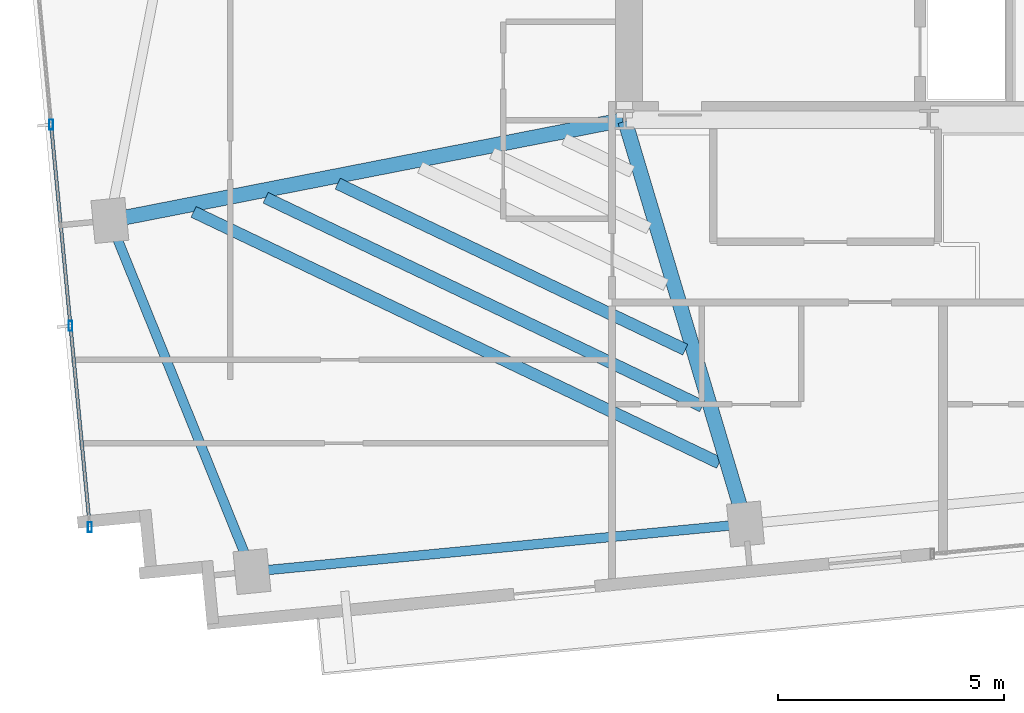
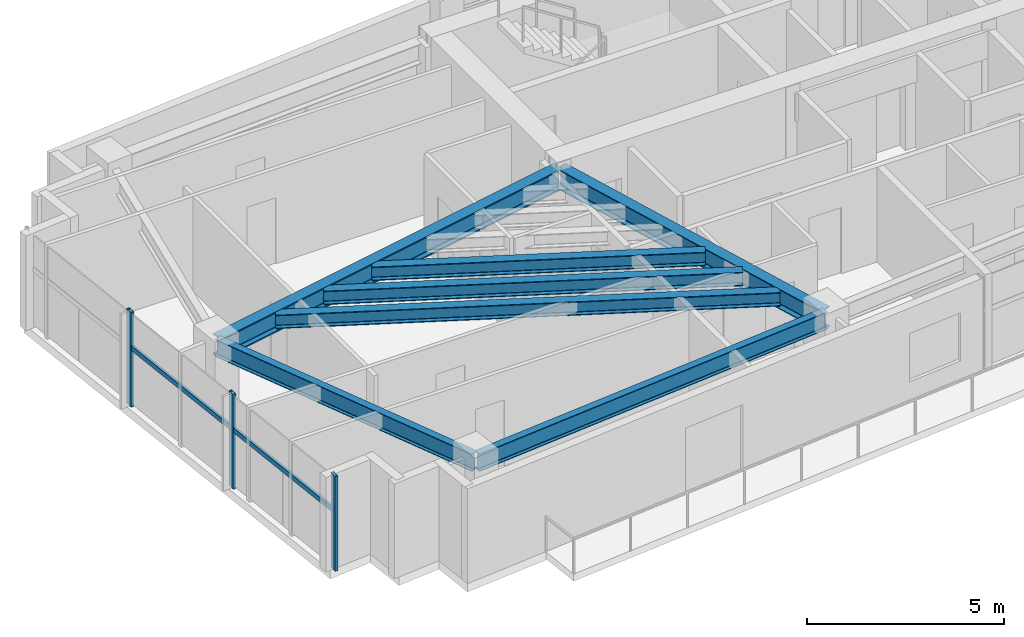
# One storey, part 2 of 18: 7 beams, 5 members, 1 element without a shape of its own.
"""IFC4 building model written with IfcOpenShell, lengths in metres."""

from ifc_helpers import new_model, si_unit, direction, frame, origin, origin_2d, place, context, subcontext, project, spatial, hollow_rectangle, i_section, extrude, source, transform, mapped, material, material_profile, profile_set, type_object, type_shapes, element, aggregate, save


model = new_model("IFC4")

# Units and contexts
model_context = context("Model", 3, precision=1e-05, world=origin(), true_north=direction((0.0, 1.0)))
body_context = subcontext(model_context, "Body", "Model", "MODEL_VIEW")
ifc_project = project(units=[si_unit("LENGTHUNIT", "METRE"), si_unit("AREAUNIT", "SQUARE_METRE"), si_unit("VOLUMEUNIT", "CUBIC_METRE"), si_unit("PLANEANGLEUNIT", "RADIAN"), si_unit("MASSUNIT", "GRAM", prefix="KILO")], contexts=[model_context])

# Site, building, storey
site_placement = place(None, origin())
site = spatial("IfcSite", under=ifc_project, at=site_placement, CompositionType="ELEMENT")
building_placement = place(site_placement, origin())
building = spatial("IfcBuilding", under=site, at=building_placement, Name="Astriad Promenade Condominiums", CompositionType="ELEMENT")
storey_placement = place(building_placement, frame((0.0, 0.0, 195.39990234375)))
storey = spatial("IfcBuildingStorey", under=building, at=storey_placement, Name="L56", CompositionType="ELEMENT", Elevation=195.39990234375)

# Beams
ifc_material_1 = material(Name="Steel ASTM A992 Grade 50", Category="steel")
ifc_material_profile_1 = material_profile(ifc_material_1, i_section(OverallWidth=0.210693359375, OverallDepth=0.53955078125, WebThickness=0.01171875, FlangeThickness=0.018798828125, FilletRadius=0.0166015625, at=origin_2d()), Name="W21X73")
ifc_profile_set_1 = profile_set([ifc_material_profile_1], Name="Steel ASTM A992 Grade 50")
beam_type_1 = type_object("IfcBeamType", Name="STEEL SPANDREL BEAM W21X73", PredefinedType="SPANDREL", material=ifc_profile_set_1)
shared_shape_1 = source(origin(), body_context, "Body", "SweptSolid", [
    extrude(i_section(OverallWidth=0.210693359375, OverallDepth=0.53955078125, WebThickness=0.01171875, FlangeThickness=0.018798828125, FilletRadius=0.0166015625, at=origin_2d()), origin(), (0.0, 0.0, 1.0), 10.8701171875),
])
beam_1_placement = place(storey_placement, frame((18.209228515625, 7.421630859375, 2.67041015625), z_axis=(0.995394986184, 0.09585834069, 0.0), x_axis=(-0.09585834069, 0.995394986184, 0.0)))
element("IfcBeam", 1, at=beam_1_placement, inside=storey, type_object=beam_type_1, Name="Perimeter Spandrel Beam SP-S1-L56", PredefinedType="SPANDREL", context=body_context, shape_type="MappedRepresentation", body=[
    mapped(shared_shape_1, transform((0.0, 0.0, 0.0), scale=1.0)),
])
shared_shape_2 = source(origin(), body_context, "Body", "SweptSolid", [
    extrude(i_section(OverallWidth=0.210693359375, OverallDepth=0.53955078125, WebThickness=0.01171875, FlangeThickness=0.018798828125, FilletRadius=0.0166015625, at=origin_2d()), origin(), (0.0, 0.0, 1.0), 8.28564453125),
])
type_shapes(beam_type_1, [shared_shape_1, shared_shape_2])
beam_2_placement = place(storey_placement, frame((15.046875, 15.1357421875, 2.67041015625), z_axis=(0.375070987134, -0.926996092014, 0.0), x_axis=(0.926996092014, 0.375070987134, 0.0)))
element("IfcBeam", 2, at=beam_2_placement, inside=storey, type_object=beam_type_1, Name="Perimeter Spandrel Beam SP-W1-L56", PredefinedType="SPANDREL", context=body_context, shape_type="MappedRepresentation", body=[
    mapped(shared_shape_2, transform((0.0, 0.0, 0.0), scale=1.0)),
])
ifc_material_profile_2 = material_profile(ifc_material_1, i_section(OverallWidth=0.327392578125, OverallDepth=0.640625, WebThickness=0.01904296875, FlangeThickness=0.033935546875, FilletRadius=0.017822265625, at=origin_2d()), Name="W24X176")
ifc_profile_set_2 = profile_set([ifc_material_profile_2], Name="Steel ASTM A992 Grade 50")
beam_type_2 = type_object("IfcBeamType", Name="STEEL FLOOR GIRDER W24X176", PredefinedType="BEAM", material=ifc_profile_set_2)
shared_shape_3 = source(origin(), body_context, "Body", "SweptSolid", [
    extrude(i_section(OverallWidth=0.327392578125, OverallDepth=0.640625, WebThickness=0.01904296875, FlangeThickness=0.033935546875, FilletRadius=0.017822265625, at=origin_2d()), origin(), (0.0, 0.0, 1.0), 11.504150390625),
])
type_shapes(beam_type_2, [shared_shape_3])
beam_3_placement = place(storey_placement, frame((15.071044921875, 15.1806640625, 2.619873046875), z_axis=(0.981346028441, 0.192249765833, 0.0), x_axis=(-0.192249765833, 0.981346028441, 0.0)))
element("IfcBeam", 3, at=beam_3_placement, inside=storey, type_object=beam_type_2, Name="Primary Floor Girder PG-WM-L56", PredefinedType="BEAM", context=body_context, shape_type="MappedRepresentation", body=[
    mapped(shared_shape_3, transform((0.0, 0.0, 0.0), scale=1.0)),
])
ifc_material_profile_3 = material_profile(ifc_material_1, i_section(OverallWidth=0.326416015625, OverallDepth=0.621826171875, WebThickness=0.015380859375, FlangeThickness=0.0244140625, FilletRadius=0.017822265625, at=origin_2d()), Name="W24X131")
ifc_profile_set_3 = profile_set([ifc_material_profile_3], Name="Steel ASTM A992 Grade 50")
beam_type_3 = type_object("IfcBeamType", Name="STEEL FLOOR GIRDER W24X131", PredefinedType="BEAM", material=ifc_profile_set_3)
shared_shape_4 = source(origin(), body_context, "Body", "SweptSolid", [
    extrude(i_section(OverallWidth=0.326416015625, OverallDepth=0.621826171875, WebThickness=0.015380859375, FlangeThickness=0.0244140625, FilletRadius=0.017822265625, at=origin_2d()), origin(), (0.0, 0.0, 1.0), 9.242919921875),
])
type_shapes(beam_type_3, [shared_shape_4])
beam_4_placement = place(storey_placement, frame((29.0576171875, 8.505615234375, 2.629150390625), z_axis=(-0.286269354745, 0.958149182818, 0.0), x_axis=(-0.958149182818, -0.286269354745, 0.0)))
element("IfcBeam", 4, at=beam_4_placement, inside=storey, type_object=beam_type_3, Name="Primary Floor Girder PG-W2-L56", PredefinedType="BEAM", context=body_context, shape_type="MappedRepresentation", body=[
    mapped(shared_shape_4, transform((0.0, 0.0, 0.0), scale=1.0)),
])
ifc_material_profile_4 = material_profile(ifc_material_1, i_section(OverallWidth=0.26318359375, OverallDepth=0.425537109375, WebThickness=0.01318359375, FlangeThickness=0.022216796875, FilletRadius=0.013916015625, at=origin_2d()), Name="W16X89")
ifc_profile_set_4 = profile_set([ifc_material_profile_4], Name="Steel ASTM A992 Grade 50")
beam_type_4 = type_object("IfcBeamType", Name="STEEL FLOOR JOIST W16X89", PredefinedType="JOIST", material=ifc_profile_set_4)
shared_shape_5 = source(origin(), body_context, "Body", "SweptSolid", [
    extrude(i_section(OverallWidth=0.26318359375, OverallDepth=0.425537109375, WebThickness=0.01318359375, FlangeThickness=0.022216796875, FilletRadius=0.013916015625, at=origin_2d()), origin(), (0.0, 0.0, 1.0), 12.864013671875),
])
beam_5_placement = place(storey_placement, frame((16.8798828125, 15.362060546875, 2.727294921875), z_axis=(0.902332932985, -0.431039763886, 0.0), x_axis=(0.431039763886, 0.902332932985, 0.0)))
element("IfcBeam", 5, at=beam_5_placement, inside=storey, type_object=beam_type_4, Name="Secondary Composite Floor Joist JW1-1-L56", PredefinedType="JOIST", context=body_context, shape_type="MappedRepresentation", body=[
    mapped(shared_shape_5, transform((0.0, 0.0, 0.0), scale=1.0)),
])
shared_shape_6 = source(origin(), body_context, "Body", "SweptSolid", [
    extrude(i_section(OverallWidth=0.26318359375, OverallDepth=0.425537109375, WebThickness=0.01318359375, FlangeThickness=0.022216796875, FilletRadius=0.013916015625, at=origin_2d()), origin(), (0.0, 0.0, 1.0), 10.686279296875),
])
beam_6_placement = place(storey_placement, frame((18.471435546875, 15.673828125, 2.727294921875), z_axis=(0.902342124644, -0.431020521661, 0.0), x_axis=(0.431020521661, 0.902342124644, 0.0)))
element("IfcBeam", 6, at=beam_6_placement, inside=storey, type_object=beam_type_4, Name="Secondary Composite Floor Joist JW1-2-L56", PredefinedType="JOIST", context=body_context, shape_type="MappedRepresentation", body=[
    mapped(shared_shape_6, transform((0.0, 0.0, 0.0), scale=1.0)),
])
shared_shape_7 = source(origin(), body_context, "Body", "SweptSolid", [
    extrude(i_section(OverallWidth=0.26318359375, OverallDepth=0.425537109375, WebThickness=0.01318359375, FlangeThickness=0.022216796875, FilletRadius=0.013916015625, at=origin_2d()), origin(), (0.0, 0.0, 1.0), 8.508056640625),
])
type_shapes(beam_type_4, [shared_shape_5, shared_shape_6, shared_shape_7])
beam_7_placement = place(storey_placement, frame((20.06298828125, 15.985595703125, 2.727294921875), z_axis=(0.902339530667, -0.431025952113, 0.0), x_axis=(0.431025952113, 0.902339530667, 0.0)))
element("IfcBeam", 7, at=beam_7_placement, inside=storey, type_object=beam_type_4, Name="Secondary Composite Floor Joist JW1-3-L56", PredefinedType="JOIST", context=body_context, shape_type="MappedRepresentation", body=[
    mapped(shared_shape_7, transform((0.0, 0.0, 0.0), scale=1.0)),
])

# Curtain wall, members
ifc_material_2 = material(Name="Anodised aluminium Black Dark Glass Unitised", Category="aluminium")
curtain_wall_type = type_object("IfcCurtainWallType", Name="CW-B34-DARK", PredefinedType="USERDEFINED", material=ifc_material_2)
curtain_wall_placement = place(storey_placement, origin())
curtain_wall = element("IfcCurtainWall", 8, at=curtain_wall_placement, inside=storey, type_object=curtain_wall_type, Name="CW-L56-W", ObjectType="UNITISED_CURTAIN_WALL", PredefinedType="USERDEFINED")
ifc_material_3 = material(Name="Anodised aluminium 6063-T6 Black", Category="aluminium")
ifc_material_profile_5 = material_profile(ifc_material_3, hollow_rectangle(XDim=0.0849609375, YDim=0.219970703125, WallThickness=0.0048828125, at=origin_2d()), Name="ALU-MUL-85X220")
ifc_profile_set_5 = profile_set([ifc_material_profile_5], Name="Anodised aluminium 6063-T6 Black")
member_type_1 = type_object("IfcMemberType", Name="MUL-ALU-MUL-85X220", PredefinedType="MULLION", material=ifc_profile_set_5)
shared_shape_8 = source(origin(), body_context, "Body", "SweptSolid", [
    extrude(hollow_rectangle(XDim=0.0849609375, YDim=0.219970703125, WallThickness=0.0048828125, at=origin_2d()), origin(), (0.0, 0.0, 1.0), 2.940185546875),
])
type_shapes(member_type_1, [shared_shape_8])
member_1_placement = place(storey_placement, frame((14.589111328125, 8.3994140625, 0.0), z_axis=(0.0, 0.0, 1.0), x_axis=(1.0, 0.0, 0.0)))
member_1 = element("IfcMember", 9, at=member_1_placement, type_object=member_type_1, Name="CW-L56-W-MUL-00", PredefinedType="MULLION", context=body_context, shape_type="MappedRepresentation", body=[
    mapped(shared_shape_8, transform((0.0, 0.0, 0.0), scale=1.0)),
])
member_2_placement = place(storey_placement, frame((14.160888671875, 12.845458984375, 0.0), z_axis=(0.0, 0.0, 1.0), x_axis=(1.0, 0.0, 0.0)))
member_2 = element("IfcMember", 10, at=member_2_placement, type_object=member_type_1, Name="CW-L56-W-MUL-01", PredefinedType="MULLION", context=body_context, shape_type="MappedRepresentation", body=[
    mapped(shared_shape_8, transform((0.0, 0.0, 0.0), scale=1.0)),
])
member_3_placement = place(storey_placement, frame((13.732666015625, 17.29150390625, 0.0), z_axis=(0.0, 0.0, 1.0), x_axis=(1.0, 0.0, 0.0)))
member_3 = element("IfcMember", 11, at=member_3_placement, type_object=member_type_1, Name="CW-L56-W-MUL-02", PredefinedType="MULLION", context=body_context, shape_type="MappedRepresentation", body=[
    mapped(shared_shape_8, transform((0.0, 0.0, 0.0), scale=1.0)),
])
ifc_material_profile_6 = material_profile(ifc_material_3, hollow_rectangle(XDim=0.074951171875, YDim=0.14990234375, WallThickness=0.004150390625, at=origin_2d()), Name="ALU-TRN-75X150")
ifc_profile_set_6 = profile_set([ifc_material_profile_6], Name="Anodised aluminium 6063-T6 Black")
member_type_2 = type_object("IfcMemberType", Name="TRN-ALU-TRN-75X150", PredefinedType="USERDEFINED", material=ifc_profile_set_6)
shared_shape_9 = source(origin(), body_context, "Body", "SweptSolid", [
    extrude(hollow_rectangle(XDim=0.074951171875, YDim=0.14990234375, WallThickness=0.004150390625, at=origin_2d()), origin(), (0.0, 0.0, 1.0), 4.466552734375),
])
type_shapes(member_type_2, [shared_shape_9])
member_4_placement = place(storey_placement, frame((14.589111328125, 8.3994140625, 1.822998046875), z_axis=(-0.095871755514, 0.995393694221, 0.0), x_axis=(-0.995393694221, -0.095871755514, 0.0)))
member_4 = element("IfcMember", 12, at=member_4_placement, type_object=member_type_2, Name="CW-L56-W-TRN-00-0", ObjectType="TRANSOM", PredefinedType="USERDEFINED", context=body_context, shape_type="MappedRepresentation", body=[
    mapped(shared_shape_9, transform((0.0, 0.0, 0.0), scale=1.0)),
])
member_5_placement = place(storey_placement, frame((14.160888671875, 12.845458984375, 1.822998046875), z_axis=(-0.095871755514, 0.995393694221, 0.0), x_axis=(-0.995393694221, -0.095871755514, 0.0)))
member_5 = element("IfcMember", 13, at=member_5_placement, type_object=member_type_2, Name="CW-L56-W-TRN-01-0", ObjectType="TRANSOM", PredefinedType="USERDEFINED", context=body_context, shape_type="MappedRepresentation", body=[
    mapped(shared_shape_9, transform((0.0, 0.0, 0.0), scale=1.0)),
])
aggregate(curtain_wall, [member_1, member_2, member_3, member_4, member_5])

save(model, "model.ifc")
